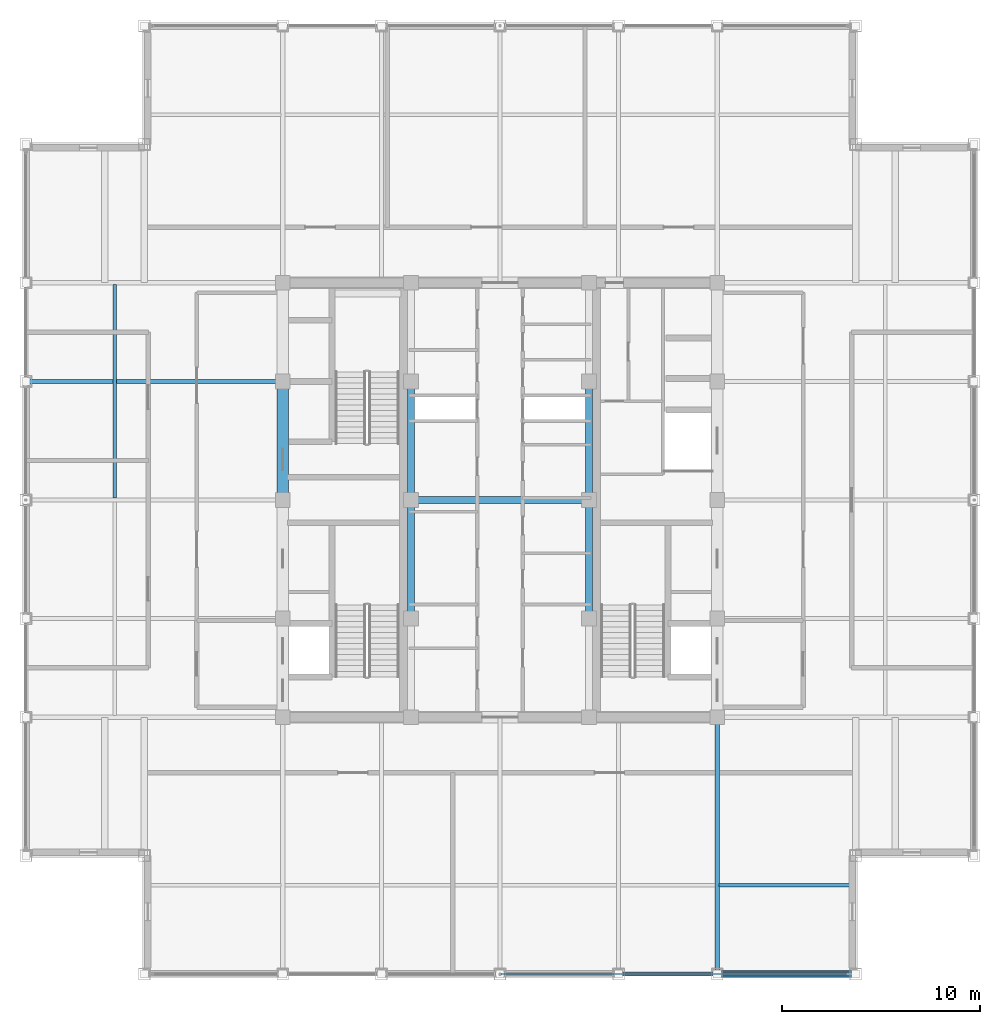
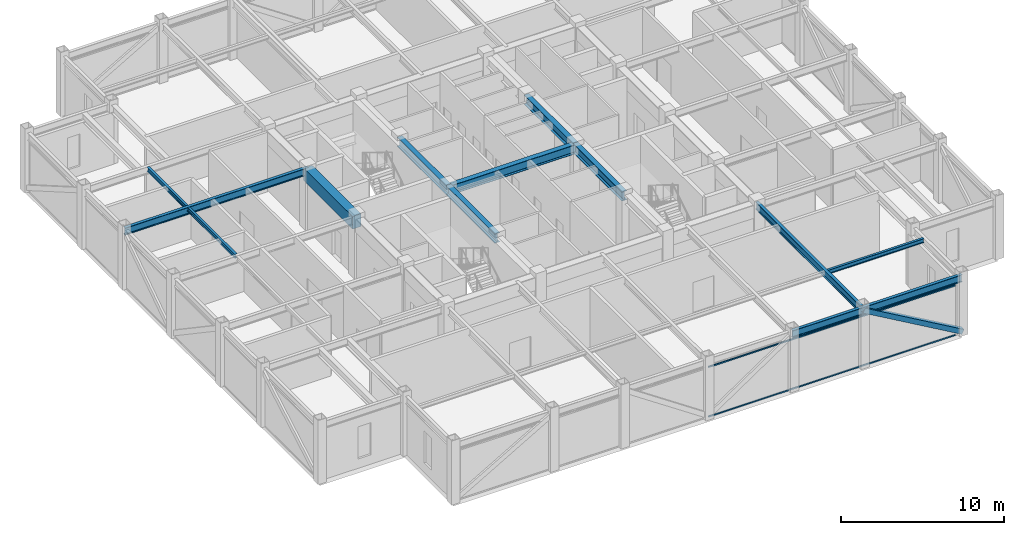
# One storey, part 7 of 27: 12 beams, 3 members, 1 element without a shape of its own.
"""IFC4 building model written with IfcOpenShell, lengths in metres."""

from ifc_helpers import new_model, si_unit, direction, frame, origin, origin_2d, place, context, subcontext, project, spatial, rectangle, hollow_rectangle, i_section, extrude, source, transform, mapped, material, material_profile, profile_set, type_object, element, aggregate, save


model = new_model("IFC4")

# Units and contexts
model_context = context("Model", 3, precision=1e-05, world=origin(), true_north=direction((0.0, 1.0)))
body_context = subcontext(model_context, "Body", "Model", "MODEL_VIEW")
ifc_project = project(units=[si_unit("LENGTHUNIT", "METRE"), si_unit("AREAUNIT", "SQUARE_METRE"), si_unit("VOLUMEUNIT", "CUBIC_METRE"), si_unit("PLANEANGLEUNIT", "RADIAN"), si_unit("MASSUNIT", "GRAM", prefix="KILO")], contexts=[model_context])

# Site, building, storey
site_placement = place(None, origin())
site = spatial("IfcSite", under=ifc_project, at=site_placement, CompositionType="ELEMENT")
building_placement = place(site_placement, origin())
building = spatial("IfcBuilding", under=site, at=building_placement, Name="Khorayat Bourse Tower", CompositionType="ELEMENT")
storey_placement = place(building_placement, frame((0.0, 0.0, 380.300048828125)))
storey = spatial("IfcBuildingStorey", under=building, at=storey_placement, Name="L90", CompositionType="ELEMENT", Elevation=380.300048828125)

# Beams
ifc_material_1 = material(Name="Steel ASTM A992 Grade 50", Category="steel")
ifc_material_profile_1 = material_profile(ifc_material_1, i_section(OverallWidth=0.35498046875, OverallDepth=0.695068359375, WebThickness=0.015380859375, FlangeThickness=0.02490234375, FilletRadius=0.01806640625, at=origin_2d()), Name="W690X217")
ifc_profile_set_1 = profile_set([ifc_material_profile_1], Name="Steel ASTM A992 Grade 50")
beam_type_1 = type_object("IfcBeamType", Name="BM-GIRD-690", PredefinedType="BEAM", material=ifc_profile_set_1)
shared_shape_1 = source(origin(), body_context, "Body", "SweptSolid", [
    extrude(i_section(OverallWidth=0.35498046875, OverallDepth=0.695068359375, WebThickness=0.015380859375, FlangeThickness=0.02490234375, FilletRadius=0.01806640625, at=origin_2d()), origin(), (0.0, 0.0, 1.0), 6.0),
])
for number, where, z_axis, x_axis, name in (
    (1, (-4.5, -6.0, 4.1025390625), (0.0, 1.0, 0.0), (-1.0, 0.0, 0.0), "L90 BM-GIRD-690 BM-L90-CRX-06"),
    (2, (-4.5, 0.0, 4.1025390625), (0.0, 1.0, 0.0), (-1.0, 0.0, 0.0), "L90 BM-GIRD-690 BM-L90-CRX-07"),
    (3, (4.5, -6.0, 4.1025390625), (0.0, 1.0, 0.0), (-1.0, 0.0, 0.0), "L90 BM-GIRD-690 BM-L90-CRX-10"),
    (4, (4.5, 0.0, 4.1025390625), (0.0, 1.0, 0.0), (-1.0, 0.0, 0.0), "L90 BM-GIRD-690 BM-L90-CRX-11"),
):
    element("IfcBeam", number, at=place(storey_placement, frame(where, z_axis=z_axis, x_axis=x_axis)), inside=storey, type_object=beam_type_1, Name=name, PredefinedType="BEAM", context=body_context, shape_type="MappedRepresentation", body=[
        mapped(shared_shape_1, transform((0.0, 0.0, 0.0), scale=1.0)),
    ])
shared_shape_2 = source(origin(), body_context, "Body", "SweptSolid", [
    extrude(i_section(OverallWidth=0.35498046875, OverallDepth=0.695068359375, WebThickness=0.015380859375, FlangeThickness=0.02490234375, FilletRadius=0.01806640625, at=origin_2d()), origin(), (0.0, 0.0, 1.0), 9.0),
])
beam_1_placement = place(storey_placement, frame((-4.5, 0.0, 4.1025390625), z_axis=(1.0, 0.0, 0.0), x_axis=(0.0, 1.0, 0.0)))
element("IfcBeam", 5, at=beam_1_placement, inside=storey, type_object=beam_type_1, Name="L90 BM-GIRD-690 BM-L90-CRY-23", PredefinedType="BEAM", context=body_context, shape_type="MappedRepresentation", body=[
    mapped(shared_shape_2, transform((0.0, 0.0, 0.0), scale=1.0)),
])
ifc_material_2 = material(Name="Concrete C60/75", Category="concrete")
ifc_material_profile_2 = material_profile(ifc_material_2, rectangle(XDim=0.60009765625, YDim=0.949951171875, at=origin_2d()), Name="RC 600x950")
ifc_profile_set_2 = profile_set([ifc_material_profile_2], Name="Concrete C60/75")
beam_type_2 = type_object("IfcBeamType", Name="BM-COUP-950", PredefinedType="BEAM", material=ifc_profile_set_2)
shared_shape_3 = source(origin(), body_context, "Body", "SweptSolid", [
    extrude(rectangle(XDim=0.60009765625, YDim=0.949951171875, at=origin_2d()), origin(), (0.0, 0.0, 1.0), 6.0),
])
beam_2_placement = place(storey_placement, frame((-11.0, 0.0, 3.974853515625), z_axis=(0.0, 1.0, 0.0), x_axis=(-1.0, 0.0, 0.0)))
element("IfcBeam", 6, at=beam_2_placement, inside=storey, type_object=beam_type_2, Name="L90 BM-COUP-950 BM-L90-CRX-03", PredefinedType="BEAM", context=body_context, shape_type="MappedRepresentation", body=[
    mapped(shared_shape_3, transform((0.0, 0.0, 0.0), scale=1.0)),
])
ifc_material_profile_3 = material_profile(ifc_material_1, i_section(OverallWidth=0.214111328125, OverallDepth=0.549072265625, WebThickness=0.0146484375, FlangeThickness=0.023681640625, FilletRadius=0.013916015625, at=origin_2d()), Name="W530X138")
ifc_profile_set_3 = profile_set([ifc_material_profile_3], Name="Steel ASTM A992 Grade 50")
beam_type_3 = type_object("IfcBeamType", Name="BM-SPAN-530", PredefinedType="SPANDREL", material=ifc_profile_set_3)
shared_shape_4 = source(origin(), body_context, "Body", "SweptSolid", [
    extrude(i_section(OverallWidth=0.214111328125, OverallDepth=0.549072265625, WebThickness=0.0146484375, FlangeThickness=0.023681640625, FilletRadius=0.013916015625, at=origin_2d()), origin(), (0.0, 0.0, 1.0), 5.0),
])
beam_3_placement = place(storey_placement, frame((6.0, -24.0, 4.175537109375), z_axis=(1.0, 0.0, 0.0), x_axis=(0.0, 1.0, 0.0)))
element("IfcBeam", 7, at=beam_3_placement, inside=storey, type_object=beam_type_3, Name="L90 BM-SPAN-530 BM-L90-SPN-028", PredefinedType="SPANDREL", context=body_context, shape_type="MappedRepresentation", body=[
    mapped(shared_shape_4, transform((0.0, 0.0, 0.0), scale=1.0)),
])
shared_shape_5 = source(origin(), body_context, "Body", "SweptSolid", [
    extrude(i_section(OverallWidth=0.214111328125, OverallDepth=0.549072265625, WebThickness=0.0146484375, FlangeThickness=0.023681640625, FilletRadius=0.013916015625, at=origin_2d()), origin(), (0.0, 0.0, 1.0), 7.0),
])
beam_4_placement = place(storey_placement, frame((11.0, -24.0, 4.175537109375), z_axis=(1.0, 0.0, 0.0), x_axis=(0.0, 1.0, 0.0)))
element("IfcBeam", 8, at=beam_4_placement, inside=storey, type_object=beam_type_3, Name="L90 BM-SPAN-530 BM-L90-SPN-029", PredefinedType="SPANDREL", context=body_context, shape_type="MappedRepresentation", body=[
    mapped(shared_shape_5, transform((0.0, 0.0, 0.0), scale=1.0)),
])
ifc_material_profile_4 = material_profile(ifc_material_1, i_section(OverallWidth=0.214111328125, OverallDepth=0.549072265625, WebThickness=0.0146484375, FlangeThickness=0.023681640625, FilletRadius=0.013916015625, at=origin_2d()), Name="W530X138")
ifc_profile_set_4 = profile_set([ifc_material_profile_4], Name="Steel ASTM A992 Grade 50")
beam_type_4 = type_object("IfcBeamType", Name="BM-GIRD-530", PredefinedType="BEAM", material=ifc_profile_set_4)
shared_shape_6 = source(origin(), body_context, "Body", "SweptSolid", [
    extrude(i_section(OverallWidth=0.214111328125, OverallDepth=0.549072265625, WebThickness=0.0146484375, FlangeThickness=0.023681640625, FilletRadius=0.013916015625, at=origin_2d()), origin(), (0.0, 0.0, 1.0), 13.0),
])
for number, where, z_axis, x_axis, name in (
    (9, (11.0, -24.0, 4.175537109375), (0.0, 1.0, 0.0), (-1.0, 0.0, 0.0), "L90 BM-GIRD-530 BM-L90-RADY-065"),
    (10, (-24.0, 6.0, 4.175537109375), (1.0, 0.0, 0.0), (0.0, 1.0, 0.0), "L90 BM-GIRD-530 BM-L90-RADX-073"),
):
    element("IfcBeam", number, at=place(storey_placement, frame(where, z_axis=z_axis, x_axis=x_axis)), inside=storey, type_object=beam_type_4, Name=name, PredefinedType="BEAM", context=body_context, shape_type="MappedRepresentation", body=[
        mapped(shared_shape_6, transform((0.0, 0.0, 0.0), scale=1.0)),
    ])
ifc_material_profile_5 = material_profile(ifc_material_1, i_section(OverallWidth=0.1669921875, OverallDepth=0.31689453125, WebThickness=0.007568359375, FlangeThickness=0.01318359375, FilletRadius=0.010009765625, at=origin_2d()), Name="W310X52")
ifc_profile_set_5 = profile_set([ifc_material_profile_5], Name="Steel ASTM A992 Grade 50")
beam_type_5 = type_object("IfcBeamType", Name="BM-JOIST-310", PredefinedType="JOIST", material=ifc_profile_set_5)
shared_shape_7 = source(origin(), body_context, "Body", "SweptSolid", [
    extrude(i_section(OverallWidth=0.1669921875, OverallDepth=0.31689453125, WebThickness=0.007568359375, FlangeThickness=0.01318359375, FilletRadius=0.010009765625, at=origin_2d()), origin(), (0.0, 0.0, 1.0), 6.81005859375),
])
beam_5_placement = place(storey_placement, frame((11.094970703125, -19.5, 4.29150390625), z_axis=(1.0, 0.0, 0.0), x_axis=(0.0, 1.0, 0.0)))
element("IfcBeam", 11, at=beam_5_placement, inside=storey, type_object=beam_type_5, Name="L90 BM-JOIST-310 BM-L90-JSTX-086", PredefinedType="JOIST", context=body_context, shape_type="MappedRepresentation", body=[
    mapped(shared_shape_7, transform((0.0, 0.0, 0.0), scale=1.0)),
])
shared_shape_8 = source(origin(), body_context, "Body", "SweptSolid", [
    extrude(i_section(OverallWidth=0.1669921875, OverallDepth=0.31689453125, WebThickness=0.007568359375, FlangeThickness=0.01318359375, FilletRadius=0.010009765625, at=origin_2d()), origin(), (0.0, 0.0, 1.0), 10.81005859375),
])
beam_6_placement = place(storey_placement, frame((-19.5, 0.094970703125, 4.29150390625), z_axis=(0.0, 1.0, 0.0), x_axis=(-1.0, 0.0, 0.0)))
element("IfcBeam", 12, at=beam_6_placement, inside=storey, type_object=beam_type_5, Name="L90 BM-JOIST-310 BM-L90-JSTY-091", PredefinedType="JOIST", context=body_context, shape_type="MappedRepresentation", body=[
    mapped(shared_shape_8, transform((0.0, 0.0, 0.0), scale=1.0)),
])

# Member
ifc_material_3 = material(Name="Steel EN 10025-2 S355J2", Category="steel")
ifc_material_profile_6 = material_profile(ifc_material_3, hollow_rectangle(XDim=0.35009765625, YDim=0.35009765625, WallThickness=0.02001953125, at=origin_2d()), Name="HSS 350x350x20")
ifc_profile_set_6 = profile_set([ifc_material_profile_6], Name="Steel EN 10025-2 S355J2")
member_type_1 = type_object("IfcMemberType", Name="MBR-CROWN-350", PredefinedType="USERDEFINED", material=ifc_profile_set_6)
shared_shape_9 = source(origin(), body_context, "Body", "SweptSolid", [
    extrude(hollow_rectangle(XDim=0.35009765625, YDim=0.35009765625, WallThickness=0.02001953125, at=origin_2d()), origin(), (0.0, 0.0, 1.0), 8.087158203125),
])
member_1_placement = place(storey_placement, frame((11.0, -24.0, 4.25), z_axis=(0.865564731219, 0.0, -0.500797060763), x_axis=(0.0, 1.0, 0.0)))
element("IfcMember", 13, at=member_1_placement, inside=storey, type_object=member_type_1, Name="L90 Lantern Crown Frame Member 04", ObjectType="CROWN FRAME", PredefinedType="USERDEFINED", context=body_context, shape_type="MappedRepresentation", body=[
    mapped(shared_shape_9, transform((0.0, 0.0, 0.0), scale=1.0)),
])

# Curtain wall, members
ifc_material_4 = material(Name="Aluminium EN AW-6063 T6", Category="aluminium")
curtain_wall_type = type_object("IfcCurtainWallType", Name="CW-SYS-07", PredefinedType="NOTDEFINED", material=ifc_material_4)
curtain_wall_placement = place(storey_placement, origin())
curtain_wall = element("IfcCurtainWall", 14, at=curtain_wall_placement, inside=storey, type_object=curtain_wall_type, Name="L90 Curtain Wall CW-L90-S1", PredefinedType="NOTDEFINED")
ifc_material_profile_7 = material_profile(ifc_material_4, hollow_rectangle(XDim=0.090087890625, YDim=0.090087890625, WallThickness=0.00390625, at=origin_2d()), Name="ALU 90x90x4")
ifc_profile_set_7 = profile_set([ifc_material_profile_7], Name="Aluminium EN AW-6063 T6")
member_type_2 = type_object("IfcMemberType", Name="CWT-HORZ-90", PredefinedType="USERDEFINED", material=ifc_profile_set_7)
shared_shape_10 = source(origin(), body_context, "Body", "SweptSolid", [
    extrude(hollow_rectangle(XDim=0.090087890625, YDim=0.090087890625, WallThickness=0.00390625, at=origin_2d()), origin(), (0.0, 0.0, 1.0), 17.5),
])
member_2_placement = place(storey_placement, frame((0.050048828125, -24.0, 0.044921875), z_axis=(1.0, 0.0, 0.0), x_axis=(0.0, 1.0, 0.0)))
member_2 = element("IfcMember", 15, at=member_2_placement, type_object=member_type_2, Name="CW-L90-S1 Horizontal Transom 2-1", ObjectType="TRANSOM", PredefinedType="USERDEFINED", context=body_context, shape_type="MappedRepresentation", body=[
    mapped(shared_shape_10, transform((0.0, 0.0, 0.0), scale=1.0)),
])
member_3_placement = place(storey_placement, frame((0.050048828125, -24.0, 3.7548828125), z_axis=(1.0, 0.0, 0.0), x_axis=(0.0, 1.0, 0.0)))
member_3 = element("IfcMember", 16, at=member_3_placement, type_object=member_type_2, Name="CW-L90-S1 Horizontal Transom 2-2", ObjectType="TRANSOM", PredefinedType="USERDEFINED", context=body_context, shape_type="MappedRepresentation", body=[
    mapped(shared_shape_10, transform((0.0, 0.0, 0.0), scale=1.0)),
])
aggregate(curtain_wall, [member_2, member_3])

save(model, "model.ifc")
